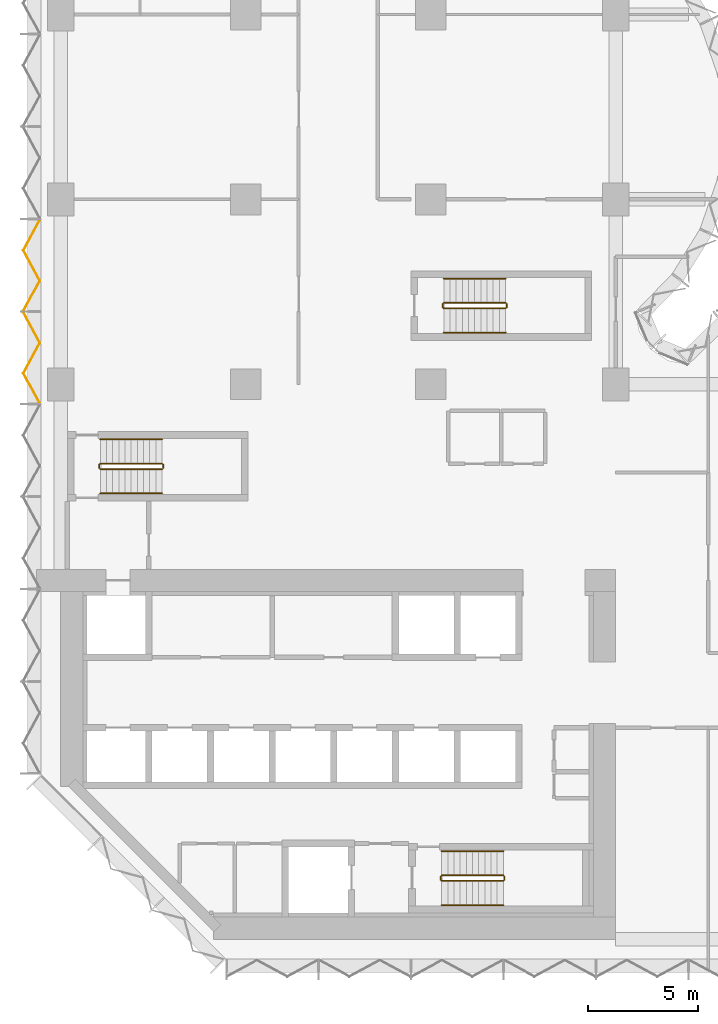
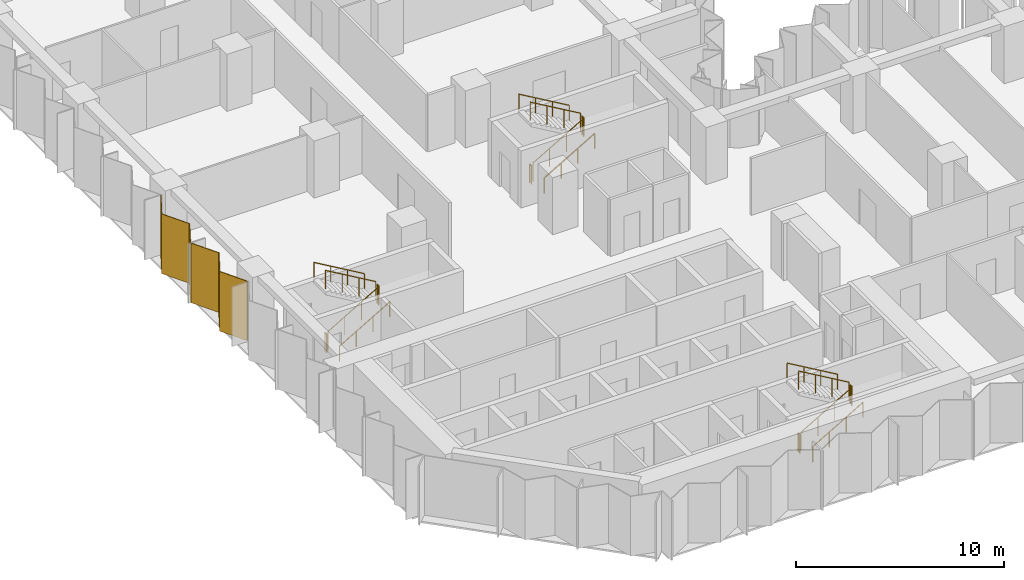
# One storey, part 13 of 15: 18 railings, 2 coverings, 1 element without a shape of its own.
"""IFC4 building model written with IfcOpenShell, lengths in metres."""

from ifc_helpers import new_model, si_unit, direction, frame, origin, origin_2d, place, context, subcontext, project, spatial, polyline, circle, outline, extrude, material, layer, layer_set, type_object, element, aggregate, save


model = new_model("IFC4")

# Units and contexts
model_context = context("Model", 3, precision=1e-05, world=origin(), true_north=direction((0.0, 1.0)))
body_context = subcontext(model_context, "Body", "Model", "MODEL_VIEW")
ifc_project = project(units=[si_unit("LENGTHUNIT", "METRE"), si_unit("AREAUNIT", "SQUARE_METRE"), si_unit("VOLUMEUNIT", "CUBIC_METRE"), si_unit("PLANEANGLEUNIT", "RADIAN"), si_unit("MASSUNIT", "GRAM", prefix="KILO")], contexts=[model_context])

# Site, building, storey
site_placement = place(None, origin())
site = spatial("IfcSite", under=ifc_project, at=site_placement, CompositionType="ELEMENT")
building_placement = place(site_placement, origin())
building = spatial("IfcBuilding", under=site, at=building_placement, Name="Brevane Broadcast Tower", CompositionType="ELEMENT")
storey_placement = place(building_placement, frame((0.0, 0.0, 58.10009765625)))
storey = spatial("IfcBuildingStorey", under=building, at=storey_placement, Name="L12", CompositionType="ELEMENT", Elevation=58.10009765625)

# Railings
ifc_material_1 = material(Name="Steel S355", Category="steel")
railing_type_1 = type_object("IfcRailingType", Name="Exit stair guard", PredefinedType="GUARDRAIL", material=ifc_material_1)
railing_1_placement = place(storey_placement, frame((1.800048828125, 21.35009765625, 0.16357421875)))
element("IfcRailing", 1, at=railing_1_placement, inside=storey, type_object=railing_type_1, Name="L12 ST-1 stair guard 1", PredefinedType="GUARDRAIL", context=body_context, shape_type="SweptSolid", body=[
    extrude(circle(Radius=0.02392578125, at=origin_2d()), frame((0.0, 0.0, 1.076171875), z_axis=(0.863393664356, 0.0, 0.504530851732), x_axis=(0.0, 1.0, 0.0)), (0.0, 0.0, 1.0), 3.2431640625),
    extrude(circle(Radius=0.02099609375, at=origin_2d()), origin(), (0.0, 0.0, 1.0), 1.052001953125),
    extrude(circle(Radius=0.02099609375, at=origin_2d()), frame((0.933349609375, 0.0, 0.54541015625)), (0.0, 0.0, 1.0), 1.052001953125),
    extrude(circle(Radius=0.02099609375, at=origin_2d()), frame((1.86669921875, 0.0, 1.0908203125)), (0.0, 0.0, 1.0), 1.052001953125),
    extrude(circle(Radius=0.02099609375, at=origin_2d()), frame((2.800048828125, 0.0, 1.63623046875)), (0.0, 0.0, 1.0), 1.052001953125),
])
railing_2_placement = place(storey_placement, frame((4.64990234375, 21.39990234375, 1.7998046875)))
element("IfcRailing", 2, at=railing_2_placement, inside=storey, type_object=railing_type_1, Name="L12 ST-1 stair guard 2", PredefinedType="GUARDRAIL", context=body_context, shape_type="SweptSolid", body=[
    extrude(circle(Radius=0.02392578125, at=origin_2d()), frame((0.0, 0.0, 1.076171875), z_axis=(0.0, 1.0, 0.0), x_axis=(-1.0, 0.0, 0.0)), (0.0, 0.0, 1.0), 0.150146484375),
    extrude(circle(Radius=0.02099609375, at=origin_2d()), origin(), (0.0, 0.0, 1.0), 1.052001953125),
    extrude(circle(Radius=0.02099609375, at=origin_2d()), frame((0.0, 0.150146484375, 0.0)), (0.0, 0.0, 1.0), 1.052001953125),
])
railing_3_placement = place(storey_placement, frame((4.60009765625, 21.60009765625, 1.963623046875)))
element("IfcRailing", 3, at=railing_3_placement, inside=storey, type_object=railing_type_1, Name="L12 ST-1 stair guard 3", PredefinedType="GUARDRAIL", context=body_context, shape_type="SweptSolid", body=[
    extrude(circle(Radius=0.02392578125, at=origin_2d()), frame((0.0, 0.0, 1.076171875), z_axis=(-0.863393664356, 0.0, 0.504530851732), x_axis=(0.0, -1.0, 0.0)), (0.0, 0.0, 1.0), 3.2431640625),
    extrude(circle(Radius=0.02099609375, at=origin_2d()), origin(), (0.0, 0.0, 1.0), 1.052001953125),
    extrude(circle(Radius=0.02099609375, at=origin_2d()), frame((-0.933349609375, 0.0, 0.54541015625)), (0.0, 0.0, 1.0), 1.052001953125),
    extrude(circle(Radius=0.02099609375, at=origin_2d()), frame((-1.86669921875, 0.0, 1.0908203125)), (0.0, 0.0, 1.0), 1.052001953125),
    extrude(circle(Radius=0.02099609375, at=origin_2d()), frame((-2.800048828125, 0.0, 1.63623046875)), (0.0, 0.0, 1.0), 1.052001953125),
])
railing_4_placement = place(storey_placement, frame((1.75, 21.39990234375, 0.0)))
element("IfcRailing", 4, at=railing_4_placement, inside=storey, type_object=railing_type_1, Name="L12 ST-1 stair guard 4", PredefinedType="GUARDRAIL", context=body_context, shape_type="SweptSolid", body=[
    extrude(circle(Radius=0.02392578125, at=origin_2d()), frame((0.0, 0.0, 1.076171875), z_axis=(0.0, 1.0, 0.0), x_axis=(-1.0, 0.0, 0.0)), (0.0, 0.0, 1.0), 0.150146484375),
    extrude(circle(Radius=0.02099609375, at=origin_2d()), origin(), (0.0, 0.0, 1.0), 1.052001953125),
    extrude(circle(Radius=0.02099609375, at=origin_2d()), frame((0.0, 0.150146484375, 0.0)), (0.0, 0.0, 1.0), 1.052001953125),
])
railing_5_placement = place(storey_placement, frame((17.300048828125, 2.64990234375, 0.16357421875)))
element("IfcRailing", 5, at=railing_5_placement, inside=storey, type_object=railing_type_1, Name="L12 ST-2 stair guard 1", PredefinedType="GUARDRAIL", context=body_context, shape_type="SweptSolid", body=[
    extrude(circle(Radius=0.02392578125, at=origin_2d()), frame((0.0, 0.0, 1.076171875), z_axis=(0.863393664356, 0.0, 0.504530851732), x_axis=(0.0, 1.0, 0.0)), (0.0, 0.0, 1.0), 3.2431640625),
    extrude(circle(Radius=0.02099609375, at=origin_2d()), origin(), (0.0, 0.0, 1.0), 1.052001953125),
    extrude(circle(Radius=0.02099609375, at=origin_2d()), frame((0.933349609375, 0.0, 0.54541015625)), (0.0, 0.0, 1.0), 1.052001953125),
    extrude(circle(Radius=0.02099609375, at=origin_2d()), frame((1.86669921875, 0.0, 1.0908203125)), (0.0, 0.0, 1.0), 1.052001953125),
    extrude(circle(Radius=0.02099609375, at=origin_2d()), frame((2.800048828125, 0.0, 1.63623046875)), (0.0, 0.0, 1.0), 1.052001953125),
])
railing_6_placement = place(storey_placement, frame((20.14990234375, 2.699951171875, 1.7998046875)))
element("IfcRailing", 6, at=railing_6_placement, inside=storey, type_object=railing_type_1, Name="L12 ST-2 stair guard 2", PredefinedType="GUARDRAIL", context=body_context, shape_type="SweptSolid", body=[
    extrude(circle(Radius=0.02392578125, at=origin_2d()), frame((0.0, 0.0, 1.076171875), z_axis=(0.0, 1.0, 0.0), x_axis=(-1.0, 0.0, 0.0)), (0.0, 0.0, 1.0), 0.150146484375),
    extrude(circle(Radius=0.02099609375, at=origin_2d()), origin(), (0.0, 0.0, 1.0), 1.052001953125),
    extrude(circle(Radius=0.02099609375, at=origin_2d()), frame((0.0, 0.150146484375, 0.0)), (0.0, 0.0, 1.0), 1.052001953125),
])
railing_7_placement = place(storey_placement, frame((20.10009765625, 2.89990234375, 1.963623046875)))
element("IfcRailing", 7, at=railing_7_placement, inside=storey, type_object=railing_type_1, Name="L12 ST-2 stair guard 3", PredefinedType="GUARDRAIL", context=body_context, shape_type="SweptSolid", body=[
    extrude(circle(Radius=0.02392578125, at=origin_2d()), frame((0.0, 0.0, 1.076171875), z_axis=(-0.863393664356, 0.0, 0.504530851732), x_axis=(0.0, -1.0, 0.0)), (0.0, 0.0, 1.0), 3.2431640625),
    extrude(circle(Radius=0.02099609375, at=origin_2d()), origin(), (0.0, 0.0, 1.0), 1.052001953125),
    extrude(circle(Radius=0.02099609375, at=origin_2d()), frame((-0.933349609375, 0.0, 0.54541015625)), (0.0, 0.0, 1.0), 1.052001953125),
    extrude(circle(Radius=0.02099609375, at=origin_2d()), frame((-1.86669921875, 0.0, 1.0908203125)), (0.0, 0.0, 1.0), 1.052001953125),
    extrude(circle(Radius=0.02099609375, at=origin_2d()), frame((-2.800048828125, 0.0, 1.63623046875)), (0.0, 0.0, 1.0), 1.052001953125),
])
railing_8_placement = place(storey_placement, frame((17.25, 2.699951171875, 0.0)))
element("IfcRailing", 8, at=railing_8_placement, inside=storey, type_object=railing_type_1, Name="L12 ST-2 stair guard 4", PredefinedType="GUARDRAIL", context=body_context, shape_type="SweptSolid", body=[
    extrude(circle(Radius=0.02392578125, at=origin_2d()), frame((0.0, 0.0, 1.076171875), z_axis=(0.0, 1.0, 0.0), x_axis=(-1.0, 0.0, 0.0)), (0.0, 0.0, 1.0), 0.150146484375),
    extrude(circle(Radius=0.02099609375, at=origin_2d()), origin(), (0.0, 0.0, 1.0), 1.052001953125),
    extrude(circle(Radius=0.02099609375, at=origin_2d()), frame((0.0, 0.150146484375, 0.0)), (0.0, 0.0, 1.0), 1.052001953125),
])
railing_9_placement = place(storey_placement, frame((17.39990234375, 28.64990234375, 0.16357421875)))
element("IfcRailing", 9, at=railing_9_placement, inside=storey, type_object=railing_type_1, Name="L12 ST-3 stair guard 1", PredefinedType="GUARDRAIL", context=body_context, shape_type="SweptSolid", body=[
    extrude(circle(Radius=0.02392578125, at=origin_2d()), frame((0.0, 0.0, 1.076171875), z_axis=(0.863393664356, 0.0, 0.504530851732), x_axis=(0.0, 1.0, 0.0)), (0.0, 0.0, 1.0), 3.2431640625),
    extrude(circle(Radius=0.02099609375, at=origin_2d()), origin(), (0.0, 0.0, 1.0), 1.052001953125),
    extrude(circle(Radius=0.02099609375, at=origin_2d()), frame((0.933349609375, 0.0, 0.54541015625)), (0.0, 0.0, 1.0), 1.052001953125),
    extrude(circle(Radius=0.02099609375, at=origin_2d()), frame((1.86669921875, 0.0, 1.0908203125)), (0.0, 0.0, 1.0), 1.052001953125),
    extrude(circle(Radius=0.02099609375, at=origin_2d()), frame((2.800048828125, 0.0, 1.63623046875)), (0.0, 0.0, 1.0), 1.052001953125),
])
railing_10_placement = place(storey_placement, frame((20.25, 28.699951171875, 1.7998046875)))
element("IfcRailing", 10, at=railing_10_placement, inside=storey, type_object=railing_type_1, Name="L12 ST-3 stair guard 2", PredefinedType="GUARDRAIL", context=body_context, shape_type="SweptSolid", body=[
    extrude(circle(Radius=0.02392578125, at=origin_2d()), frame((0.0, 0.0, 1.076171875), z_axis=(0.0, 1.0, 0.0), x_axis=(-1.0, 0.0, 0.0)), (0.0, 0.0, 1.0), 0.150146484375),
    extrude(circle(Radius=0.02099609375, at=origin_2d()), origin(), (0.0, 0.0, 1.0), 1.052001953125),
    extrude(circle(Radius=0.02099609375, at=origin_2d()), frame((0.0, 0.150146484375, 0.0)), (0.0, 0.0, 1.0), 1.052001953125),
])
railing_11_placement = place(storey_placement, frame((20.199951171875, 28.89990234375, 1.963623046875)))
element("IfcRailing", 11, at=railing_11_placement, inside=storey, type_object=railing_type_1, Name="L12 ST-3 stair guard 3", PredefinedType="GUARDRAIL", context=body_context, shape_type="SweptSolid", body=[
    extrude(circle(Radius=0.02392578125, at=origin_2d()), frame((0.0, 0.0, 1.076171875), z_axis=(-0.863393664356, 0.0, 0.504530851732), x_axis=(0.0, -1.0, 0.0)), (0.0, 0.0, 1.0), 3.2431640625),
    extrude(circle(Radius=0.02099609375, at=origin_2d()), origin(), (0.0, 0.0, 1.0), 1.052001953125),
    extrude(circle(Radius=0.02099609375, at=origin_2d()), frame((-0.933349609375, 0.0, 0.54541015625)), (0.0, 0.0, 1.0), 1.052001953125),
    extrude(circle(Radius=0.02099609375, at=origin_2d()), frame((-1.86669921875, 0.0, 1.0908203125)), (0.0, 0.0, 1.0), 1.052001953125),
    extrude(circle(Radius=0.02099609375, at=origin_2d()), frame((-2.800048828125, 0.0, 1.63623046875)), (0.0, 0.0, 1.0), 1.052001953125),
])
railing_12_placement = place(storey_placement, frame((17.35009765625, 28.699951171875, 0.0)))
element("IfcRailing", 12, at=railing_12_placement, inside=storey, type_object=railing_type_1, Name="L12 ST-3 stair guard 4", PredefinedType="GUARDRAIL", context=body_context, shape_type="SweptSolid", body=[
    extrude(circle(Radius=0.02392578125, at=origin_2d()), frame((0.0, 0.0, 1.076171875), z_axis=(0.0, 1.0, 0.0), x_axis=(-1.0, 0.0, 0.0)), (0.0, 0.0, 1.0), 0.150146484375),
    extrude(circle(Radius=0.02099609375, at=origin_2d()), origin(), (0.0, 0.0, 1.0), 1.052001953125),
    extrude(circle(Radius=0.02099609375, at=origin_2d()), frame((0.0, 0.150146484375, 0.0)), (0.0, 0.0, 1.0), 1.052001953125),
])
railing_type_2 = type_object("IfcRailingType", Name="Exit stair handrail", PredefinedType="HANDRAIL", material=ifc_material_1)
railing_13_placement = place(storey_placement, frame((1.800048828125, 20.25, 0.16357421875)))
element("IfcRailing", 13, at=railing_13_placement, inside=storey, type_object=railing_type_2, Name="L12 ST-1 stair handrail 1", PredefinedType="HANDRAIL", context=body_context, shape_type="SweptSolid", body=[
    extrude(circle(Radius=0.02392578125, at=origin_2d()), frame((0.0, 0.0, 0.8759765625), z_axis=(0.863393664356, 0.0, 0.504530851732), x_axis=(0.0, 1.0, 0.0)), (0.0, 0.0, 1.0), 3.2431640625),
    extrude(circle(Radius=0.02099609375, at=origin_2d()), origin(), (0.0, 0.0, 1.0), 0.851806640625),
    extrude(circle(Radius=0.02099609375, at=origin_2d()), frame((0.933349609375, 0.0, 0.54541015625)), (0.0, 0.0, 1.0), 0.851806640625),
    extrude(circle(Radius=0.02099609375, at=origin_2d()), frame((1.86669921875, 0.0, 1.0908203125)), (0.0, 0.0, 1.0), 0.851806640625),
    extrude(circle(Radius=0.02099609375, at=origin_2d()), frame((2.800048828125, 0.0, 1.63623046875)), (0.0, 0.0, 1.0), 0.851806640625),
])
railing_14_placement = place(storey_placement, frame((4.60009765625, 22.699951171875, 1.963623046875)))
element("IfcRailing", 14, at=railing_14_placement, inside=storey, type_object=railing_type_2, Name="L12 ST-1 stair handrail 2", PredefinedType="HANDRAIL", context=body_context, shape_type="SweptSolid", body=[
    extrude(circle(Radius=0.02392578125, at=origin_2d()), frame((0.0, 0.0, 0.8759765625), z_axis=(-0.863393664356, 0.0, 0.504530851732), x_axis=(0.0, -1.0, 0.0)), (0.0, 0.0, 1.0), 3.2431640625),
    extrude(circle(Radius=0.02099609375, at=origin_2d()), origin(), (0.0, 0.0, 1.0), 0.851806640625),
    extrude(circle(Radius=0.02099609375, at=origin_2d()), frame((-0.933349609375, 0.0, 0.54541015625)), (0.0, 0.0, 1.0), 0.851806640625),
    extrude(circle(Radius=0.02099609375, at=origin_2d()), frame((-1.86669921875, 0.0, 1.0908203125)), (0.0, 0.0, 1.0), 0.851806640625),
    extrude(circle(Radius=0.02099609375, at=origin_2d()), frame((-2.800048828125, 0.0, 1.63623046875)), (0.0, 0.0, 1.0), 0.851806640625),
])
railing_15_placement = place(storey_placement, frame((17.300048828125, 1.550048828125, 0.16357421875)))
element("IfcRailing", 15, at=railing_15_placement, inside=storey, type_object=railing_type_2, Name="L12 ST-2 stair handrail 1", PredefinedType="HANDRAIL", context=body_context, shape_type="SweptSolid", body=[
    extrude(circle(Radius=0.02392578125, at=origin_2d()), frame((0.0, 0.0, 0.8759765625), z_axis=(0.863393664356, 0.0, 0.504530851732), x_axis=(0.0, 1.0, 0.0)), (0.0, 0.0, 1.0), 3.2431640625),
    extrude(circle(Radius=0.02099609375, at=origin_2d()), origin(), (0.0, 0.0, 1.0), 0.851806640625),
    extrude(circle(Radius=0.02099609375, at=origin_2d()), frame((0.933349609375, 0.0, 0.54541015625)), (0.0, 0.0, 1.0), 0.851806640625),
    extrude(circle(Radius=0.02099609375, at=origin_2d()), frame((1.86669921875, 0.0, 1.0908203125)), (0.0, 0.0, 1.0), 0.851806640625),
    extrude(circle(Radius=0.02099609375, at=origin_2d()), frame((2.800048828125, 0.0, 1.63623046875)), (0.0, 0.0, 1.0), 0.851806640625),
])
railing_16_placement = place(storey_placement, frame((20.10009765625, 4.0, 1.963623046875)))
element("IfcRailing", 16, at=railing_16_placement, inside=storey, type_object=railing_type_2, Name="L12 ST-2 stair handrail 2", PredefinedType="HANDRAIL", context=body_context, shape_type="SweptSolid", body=[
    extrude(circle(Radius=0.02392578125, at=origin_2d()), frame((0.0, 0.0, 0.8759765625), z_axis=(-0.863393664356, 0.0, 0.504530851732), x_axis=(0.0, -1.0, 0.0)), (0.0, 0.0, 1.0), 3.2431640625),
    extrude(circle(Radius=0.02099609375, at=origin_2d()), origin(), (0.0, 0.0, 1.0), 0.851806640625),
    extrude(circle(Radius=0.02099609375, at=origin_2d()), frame((-0.933349609375, 0.0, 0.54541015625)), (0.0, 0.0, 1.0), 0.851806640625),
    extrude(circle(Radius=0.02099609375, at=origin_2d()), frame((-1.86669921875, 0.0, 1.0908203125)), (0.0, 0.0, 1.0), 0.851806640625),
    extrude(circle(Radius=0.02099609375, at=origin_2d()), frame((-2.800048828125, 0.0, 1.63623046875)), (0.0, 0.0, 1.0), 0.851806640625),
])
railing_17_placement = place(storey_placement, frame((17.39990234375, 27.550048828125, 0.16357421875)))
element("IfcRailing", 17, at=railing_17_placement, inside=storey, type_object=railing_type_2, Name="L12 ST-3 stair handrail 1", PredefinedType="HANDRAIL", context=body_context, shape_type="SweptSolid", body=[
    extrude(circle(Radius=0.02392578125, at=origin_2d()), frame((0.0, 0.0, 0.8759765625), z_axis=(0.863393664356, 0.0, 0.504530851732), x_axis=(0.0, 1.0, 0.0)), (0.0, 0.0, 1.0), 3.2431640625),
    extrude(circle(Radius=0.02099609375, at=origin_2d()), origin(), (0.0, 0.0, 1.0), 0.851806640625),
    extrude(circle(Radius=0.02099609375, at=origin_2d()), frame((0.933349609375, 0.0, 0.54541015625)), (0.0, 0.0, 1.0), 0.851806640625),
    extrude(circle(Radius=0.02099609375, at=origin_2d()), frame((1.86669921875, 0.0, 1.0908203125)), (0.0, 0.0, 1.0), 0.851806640625),
    extrude(circle(Radius=0.02099609375, at=origin_2d()), frame((2.800048828125, 0.0, 1.63623046875)), (0.0, 0.0, 1.0), 0.851806640625),
])
railing_18_placement = place(storey_placement, frame((20.199951171875, 30.0, 1.963623046875)))
element("IfcRailing", 18, at=railing_18_placement, inside=storey, type_object=railing_type_2, Name="L12 ST-3 stair handrail 2", PredefinedType="HANDRAIL", context=body_context, shape_type="SweptSolid", body=[
    extrude(circle(Radius=0.02392578125, at=origin_2d()), frame((0.0, 0.0, 0.8759765625), z_axis=(-0.863393664356, 0.0, 0.504530851732), x_axis=(0.0, -1.0, 0.0)), (0.0, 0.0, 1.0), 3.2431640625),
    extrude(circle(Radius=0.02099609375, at=origin_2d()), origin(), (0.0, 0.0, 1.0), 0.851806640625),
    extrude(circle(Radius=0.02099609375, at=origin_2d()), frame((-0.933349609375, 0.0, 0.54541015625)), (0.0, 0.0, 1.0), 0.851806640625),
    extrude(circle(Radius=0.02099609375, at=origin_2d()), frame((-1.86669921875, 0.0, 1.0908203125)), (0.0, 0.0, 1.0), 0.851806640625),
    extrude(circle(Radius=0.02099609375, at=origin_2d()), frame((-2.800048828125, 0.0, 1.63623046875)), (0.0, 0.0, 1.0), 0.851806640625),
])

# Curtain wall, coverings
ifc_material_2 = material(Name="Aluminium 6063-T6 bronze anodised", Category="aluminium")
curtain_wall_type = type_object("IfcCurtainWallType", Name="CW-1 curtain wall", PredefinedType="NOTDEFINED", material=ifc_material_2)
curtain_wall_placement = place(storey_placement, origin())
curtain_wall = element("IfcCurtainWall", 19, at=curtain_wall_placement, inside=storey, type_object=curtain_wall_type, Name="CW-1 typical tilted unit L12 west face", PredefinedType="NOTDEFINED")
ifc_material_3 = material(Name="Back-painted bronze glass shadow-box", Category="glass")
ifc_layer = layer(ifc_material_3, 0.0400390625)
ifc_layer_set = layer_set([ifc_layer], Name="Shadow-box panel 40")
covering_type = type_object("IfcCoveringType", Name="Shadow-box panel 40", PredefinedType="CLADDING", material=ifc_layer_set)
covering_1_placement = place(storey_placement, frame((0.0, 0.0, -0.150146484375)))
covering_1 = element("IfcCovering", 20, at=covering_1_placement, type_object=covering_type, Name="Shadow-box panel", PredefinedType="CLADDING", context=body_context, shape_type="SweptSolid", body=[
    extrude(outline(polyline([(-0.92724609375, 32.6650390625), (-0.97265625, 32.6650390625), (-1.717041015625, 31.288330078125), (-0.97265625, 29.91162109375), (-1.717041015625, 28.534912109375), (-1.671630859375, 28.534912109375), (-0.92724609375, 29.91162109375), (-1.671630859375, 31.288330078125), (-0.92724609375, 32.6650390625)])), origin(), (0.0, 0.0, 1.0), 3.5),
])
covering_2_placement = place(storey_placement, frame((0.0, 0.0, -0.150146484375)))
covering_2 = element("IfcCovering", 21, at=covering_2_placement, type_object=covering_type, Name="Shadow-box panel", PredefinedType="CLADDING", context=body_context, shape_type="SweptSolid", body=[
    extrude(outline(polyline([(-1.671630859375, 28.465087890625), (-1.717041015625, 28.465087890625), (-0.97265625, 27.08837890625), (-1.717041015625, 25.711669921875), (-0.97265625, 24.3349609375), (-0.92724609375, 24.3349609375), (-1.671630859375, 25.711669921875), (-0.92724609375, 27.08837890625), (-1.671630859375, 28.465087890625)])), origin(), (0.0, 0.0, 1.0), 3.5),
])
aggregate(curtain_wall, [covering_1, covering_2])

save(model, "model.ifc")
